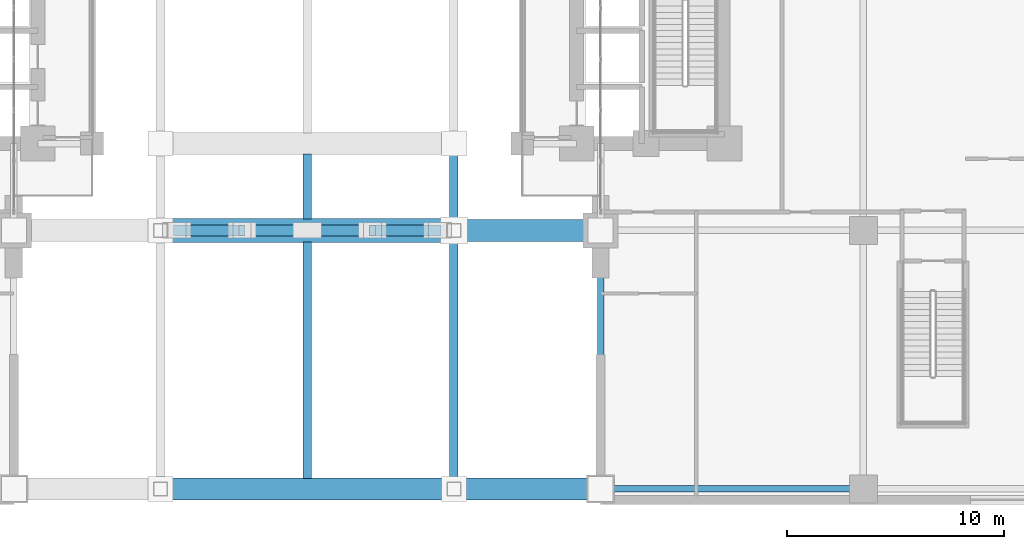
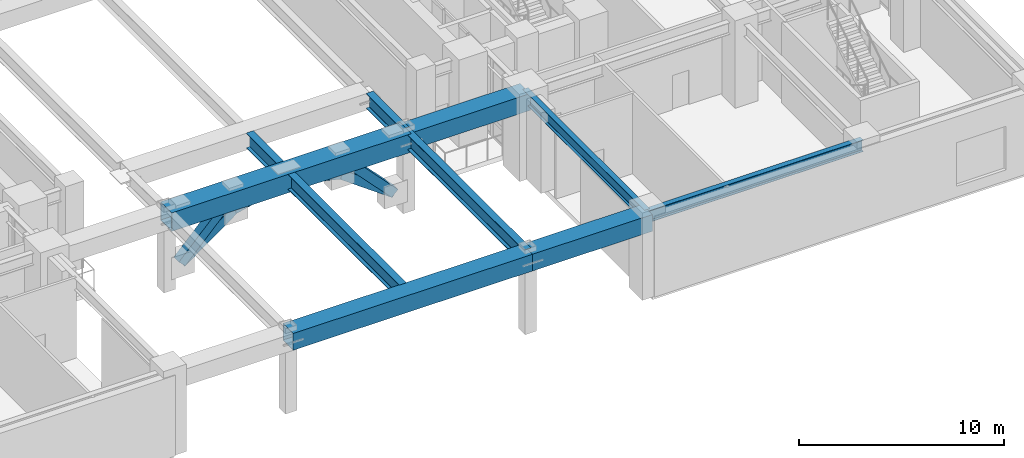
# One storey, part 5 of 26: 10 beams, 6 members.
"""IFC4 building model written with IfcOpenShell, lengths in metres."""

from ifc_helpers import new_model, si_unit, direction, frame, origin, origin_2d, place, context, subcontext, project, spatial, hollow_rectangle, i_section, extrude, material, material_profile, profile_set, type_object, element, save


model = new_model("IFC4")

# Units and contexts
model_context = context("Model", 3, precision=1e-05, world=origin(), true_north=direction((0.0, 1.0)))
body_context = subcontext(model_context, "Body", "Model", "MODEL_VIEW")
ifc_project = project(units=[si_unit("LENGTHUNIT", "METRE"), si_unit("AREAUNIT", "SQUARE_METRE"), si_unit("VOLUMEUNIT", "CUBIC_METRE"), si_unit("PLANEANGLEUNIT", "RADIAN"), si_unit("MASSUNIT", "GRAM", prefix="KILO")], contexts=[model_context])

# Site, building, storey
site_placement = place(None, origin())
site = spatial("IfcSite", under=ifc_project, at=site_placement, CompositionType="ELEMENT")
building_placement = place(site_placement, origin())
building = spatial("IfcBuilding", under=site, at=building_placement, Name="Voryun Gate Residences", CompositionType="ELEMENT")
storey_placement = place(building_placement, frame((0.0, 0.0, 15.60009765625)))
storey = spatial("IfcBuildingStorey", under=building, at=storey_placement, Name="L03", CompositionType="ELEMENT", Elevation=15.60009765625)

# Beams
ifc_material_1 = material(Name="Steel SM420", Category="steel")
ifc_material_profile_1 = material_profile(ifc_material_1, hollow_rectangle(XDim=1.10009765625, YDim=1.10009765625, WallThickness=0.035888671875, at=origin_2d()), Name="BOX-1100x1100x36")
ifc_profile_set_1 = profile_set([ifc_material_profile_1], Name="Steel SM420")
beam_type_1 = type_object("IfcBeamType", Name="BM_ARCH_RIB", PredefinedType="USERDEFINED", material=ifc_profile_set_1)
beam_1_placement = place(storey_placement, frame((-6.75, -11.39990234375, 4.25), z_axis=(1.0, 0.0, 0.0), x_axis=(0.0, 1.0, 0.0)))
element("IfcBeam", 1, at=beam_1_placement, inside=storey, type_object=beam_type_1, Name="Parabolic Tied-Arch Tie Girder S Bay 2", ObjectType="GIRDER", PredefinedType="USERDEFINED", context=body_context, shape_type="SweptSolid", body=[
    extrude(hollow_rectangle(XDim=1.10009765625, YDim=1.10009765625, WallThickness=0.035888671875, at=origin_2d()), origin(), (0.0, 0.0, 1.0), 13.5),
])
ifc_material_2 = material(Name="Steel SM420", Category="steel")
ifc_material_profile_2 = material_profile(ifc_material_2, hollow_rectangle(XDim=1.0, YDim=1.0, WallThickness=0.031982421875, at=origin_2d()), Name="BOX-1000x1000x32")
ifc_profile_set_2 = profile_set([ifc_material_profile_2], Name="Steel SM420")
beam_type_2 = type_object("IfcBeamType", Name="BM_ARCH_TIE", PredefinedType="USERDEFINED", material=ifc_profile_set_2)
beam_2_placement = place(storey_placement, frame((6.75, -11.39990234375, 4.2998046875), z_axis=(1.0, 0.0, 0.0), x_axis=(0.0, 1.0, 0.0)))
element("IfcBeam", 2, at=beam_2_placement, inside=storey, type_object=beam_type_2, Name="Parabolic Tied-Arch Tie Girder S Bay 3", ObjectType="GIRDER", PredefinedType="USERDEFINED", context=body_context, shape_type="SweptSolid", body=[
    extrude(hollow_rectangle(XDim=1.0, YDim=1.0, WallThickness=0.031982421875, at=origin_2d()), origin(), (0.0, 0.0, 1.0), 6.75),
])
beam_3_placement = place(storey_placement, frame((-6.75, -23.300048828125, 4.2998046875), z_axis=(1.0, 0.0, 0.0), x_axis=(0.0, 1.0, 0.0)))
element("IfcBeam", 3, at=beam_3_placement, inside=storey, type_object=beam_type_2, Name="BM-L03-ARCH-EDGE--23.3-1", ObjectType="GIRDER", PredefinedType="USERDEFINED", context=body_context, shape_type="SweptSolid", body=[
    extrude(hollow_rectangle(XDim=1.0, YDim=1.0, WallThickness=0.031982421875, at=origin_2d()), origin(), (0.0, 0.0, 1.0), 13.5),
])
beam_4_placement = place(storey_placement, frame((6.75, -23.300048828125, 4.2998046875), z_axis=(1.0, 0.0, 0.0), x_axis=(0.0, 1.0, 0.0)))
element("IfcBeam", 4, at=beam_4_placement, inside=storey, type_object=beam_type_2, Name="BM-L03-ARCH-EDGE--23.3-2", ObjectType="GIRDER", PredefinedType="USERDEFINED", context=body_context, shape_type="SweptSolid", body=[
    extrude(hollow_rectangle(XDim=1.0, YDim=1.0, WallThickness=0.031982421875, at=origin_2d()), origin(), (0.0, 0.0, 1.0), 6.75),
])
ifc_material_3 = material(Name="Steel SM355", Category="steel")
ifc_material_profile_3 = material_profile(ifc_material_3, i_section(OverallWidth=0.300048828125, OverallDepth=0.699951171875, WebThickness=0.012939453125, FlangeThickness=0.02392578125, FilletRadius=0.01806640625, at=origin_2d()), Name="H-700x300x13x24")
ifc_profile_set_3 = profile_set([ifc_material_profile_3], Name="Steel SM355")
beam_type_3 = type_object("IfcBeamType", Name="BM_GIRD_700", PredefinedType="USERDEFINED", material=ifc_profile_set_3)
beam_5_placement = place(storey_placement, frame((13.5, -23.300048828125, 4.449951171875), z_axis=(1.0, 0.0, 0.0), x_axis=(0.0, 1.0, 0.0)))
element("IfcBeam", 5, at=beam_5_placement, inside=storey, type_object=beam_type_3, Name="BM-L03-PEX--23.3-0", ObjectType="GIRDER", PredefinedType="USERDEFINED", context=body_context, shape_type="SweptSolid", body=[
    extrude(i_section(OverallWidth=0.300048828125, OverallDepth=0.699951171875, WebThickness=0.012939453125, FlangeThickness=0.02392578125, FilletRadius=0.01806640625, at=origin_2d()), origin(), (0.0, 0.0, 1.0), 12.10009765625),
])
beam_6_placement = place(storey_placement, frame((13.5, -23.300048828125, 4.449951171875), z_axis=(0.0, 1.0, 0.0), x_axis=(-1.0, 0.0, 0.0)))
element("IfcBeam", 6, at=beam_6_placement, inside=storey, type_object=beam_type_3, Name="BM-L03-PEYA--23.3", ObjectType="GIRDER", PredefinedType="USERDEFINED", context=body_context, shape_type="SweptSolid", body=[
    extrude(i_section(OverallWidth=0.300048828125, OverallDepth=0.699951171875, WebThickness=0.012939453125, FlangeThickness=0.02392578125, FilletRadius=0.01806640625, at=origin_2d()), origin(), (0.0, 0.0, 1.0), 11.900146484375),
])
ifc_material_4 = material(Name="Steel SM420", Category="steel")
ifc_material_profile_4 = material_profile(ifc_material_4, i_section(OverallWidth=0.39990234375, OverallDepth=0.89990234375, WebThickness=0.01806640625, FlangeThickness=0.031982421875, FilletRadius=0.01806640625, at=origin_2d()), Name="H-900x400x18x32")
ifc_profile_set_4 = profile_set([ifc_material_profile_4], Name="Steel SM420")
beam_type_4 = type_object("IfcBeamType", Name="BM_POD_TRUSS_CHD", PredefinedType="USERDEFINED", material=ifc_profile_set_4)
beam_7_placement = place(storey_placement, frame((0.0, -22.824951171875, 4.349853515625), z_axis=(0.0, 1.0, 0.0), x_axis=(-1.0, 0.0, 0.0)))
element("IfcBeam", 7, at=beam_7_placement, inside=storey, type_object=beam_type_4, Name="BM-L03-ARCH-XDECK-S-+0.00", ObjectType="GIRDER", PredefinedType="USERDEFINED", context=body_context, shape_type="SweptSolid", body=[
    extrude(i_section(OverallWidth=0.39990234375, OverallDepth=0.89990234375, WebThickness=0.01806640625, FlangeThickness=0.031982421875, FilletRadius=0.01806640625, at=origin_2d()), origin(), (0.0, 0.0, 1.0), 10.89990234375),
])
beam_8_placement = place(storey_placement, frame((0.0, -10.875, 4.349853515625), z_axis=(0.0, 1.0, 0.0), x_axis=(-1.0, 0.0, 0.0)))
element("IfcBeam", 8, at=beam_8_placement, inside=storey, type_object=beam_type_4, Name="BM-L03-ARCH-XDECK-SN-+0.00", ObjectType="GIRDER", PredefinedType="USERDEFINED", context=body_context, shape_type="SweptSolid", body=[
    extrude(i_section(OverallWidth=0.39990234375, OverallDepth=0.89990234375, WebThickness=0.01806640625, FlangeThickness=0.031982421875, FilletRadius=0.01806640625, at=origin_2d()), origin(), (0.0, 0.0, 1.0), 3.0),
])
beam_9_placement = place(storey_placement, frame((6.75, -23.300048828125, 4.349853515625), z_axis=(0.0, 1.0, 0.0), x_axis=(-1.0, 0.0, 0.0)))
element("IfcBeam", 9, at=beam_9_placement, inside=storey, type_object=beam_type_4, Name="BM-L03-ARCH-XDECK-S-+6.75", ObjectType="GIRDER", PredefinedType="USERDEFINED", context=body_context, shape_type="SweptSolid", body=[
    extrude(i_section(OverallWidth=0.39990234375, OverallDepth=0.89990234375, WebThickness=0.01806640625, FlangeThickness=0.031982421875, FilletRadius=0.01806640625, at=origin_2d()), origin(), (0.0, 0.0, 1.0), 11.900146484375),
])
beam_10_placement = place(storey_placement, frame((6.75, -11.39990234375, 4.349853515625), z_axis=(0.0, 1.0, 0.0), x_axis=(-1.0, 0.0, 0.0)))
element("IfcBeam", 10, at=beam_10_placement, inside=storey, type_object=beam_type_4, Name="BM-L03-ARCH-XDECK-SN-+6.75", ObjectType="GIRDER", PredefinedType="USERDEFINED", context=body_context, shape_type="SweptSolid", body=[
    extrude(i_section(OverallWidth=0.39990234375, OverallDepth=0.89990234375, WebThickness=0.01806640625, FlangeThickness=0.031982421875, FilletRadius=0.01806640625, at=origin_2d()), origin(), (0.0, 0.0, 1.0), 3.52490234375),
])

# Members
ifc_material_5 = material(Name="Steel SM420", Category="steel")
ifc_material_profile_5 = material_profile(ifc_material_5, hollow_rectangle(XDim=0.5, YDim=0.5, WallThickness=0.02392578125, at=origin_2d()), Name="BOX-500x500x24")
ifc_profile_set_5 = profile_set([ifc_material_profile_5], Name="Steel SM420")
member_type = type_object("IfcMemberType", Name="MBR_ARCH_WEB", PredefinedType="BRACE", material=ifc_profile_set_5)
member_1_placement = place(storey_placement, frame((-6.0, -11.39990234375, 1.31591796875), z_axis=(0.811138509032, 0.0, 0.584854100751), x_axis=(0.0, 1.0, 0.0)))
element("IfcMember", 11, at=member_1_placement, inside=storey, type_object=member_type, Name="Parabolic Tied-Arch Rib Member S Segment 3", PredefinedType="BRACE", context=body_context, shape_type="SweptSolid", body=[
    extrude(hollow_rectangle(XDim=0.5, YDim=0.5, WallThickness=0.02392578125, at=origin_2d()), origin(), (0.0, 0.0, 1.0), 3.698486328125),
])
member_2_placement = place(storey_placement, frame((-6.0, -11.39990234375, 1.31591796875), z_axis=(0.69149091209, 0.0, 0.722385159383), x_axis=(0.0, 1.0, 0.0)))
element("IfcMember", 12, at=member_2_placement, inside=storey, type_object=member_type, Name="Parabolic Tied-Arch Web Brace S-3", PredefinedType="BRACE", context=body_context, shape_type="SweptSolid", body=[
    extrude(hollow_rectangle(XDim=0.5, YDim=0.5, WallThickness=0.02392578125, at=origin_2d()), origin(), (0.0, 0.0, 1.0), 4.33837890625),
])
for number, where, z_axis, x_axis, name in (
    (13, (-3.0, -11.39990234375, 3.47900390625), (0.972317588223, 0.0, 0.233663235516), (0.0, 1.0, 0.0), "Parabolic Tied-Arch Rib Member S Segment 4"),
    (14, (0.0, -11.39990234375, 4.199951171875), (0.972317588223, 0.0, -0.233663235516), (0.0, 1.0, 0.0), "Parabolic Tied-Arch Rib Member S Segment 5"),
):
    element("IfcMember", number, at=place(storey_placement, frame(where, z_axis=z_axis, x_axis=x_axis)), inside=storey, type_object=member_type, Name=name, PredefinedType="BRACE", context=body_context, shape_type="SweptSolid", body=[
        extrude(hollow_rectangle(XDim=0.5, YDim=0.5, WallThickness=0.02392578125, at=origin_2d()), origin(), (0.0, 0.0, 1.0), 3.08544921875),
    ])
member_3_placement = place(storey_placement, frame((3.0, -11.39990234375, 3.47900390625), z_axis=(0.811138509032, 0.0, -0.584854100751), x_axis=(0.0, 1.0, 0.0)))
element("IfcMember", 15, at=member_3_placement, inside=storey, type_object=member_type, Name="Parabolic Tied-Arch Rib Member S Segment 6", PredefinedType="BRACE", context=body_context, shape_type="SweptSolid", body=[
    extrude(hollow_rectangle(XDim=0.5, YDim=0.5, WallThickness=0.02392578125, at=origin_2d()), origin(), (0.0, 0.0, 1.0), 3.698486328125),
])
member_4_placement = place(storey_placement, frame((6.0, -11.39990234375, 1.31591796875), z_axis=(-0.69149091209, 0.0, 0.722385159383), x_axis=(0.0, -1.0, 0.0)))
element("IfcMember", 16, at=member_4_placement, inside=storey, type_object=member_type, Name="Parabolic Tied-Arch Web Brace S-6", PredefinedType="BRACE", context=body_context, shape_type="SweptSolid", body=[
    extrude(hollow_rectangle(XDim=0.5, YDim=0.5, WallThickness=0.02392578125, at=origin_2d()), origin(), (0.0, 0.0, 1.0), 4.33837890625),
])

save(model, "model.ifc")
